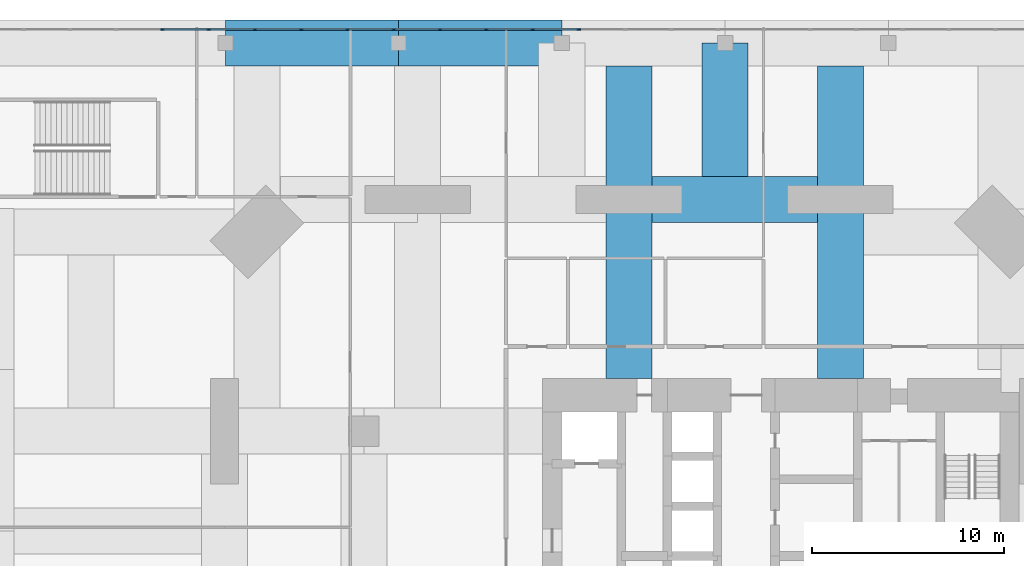
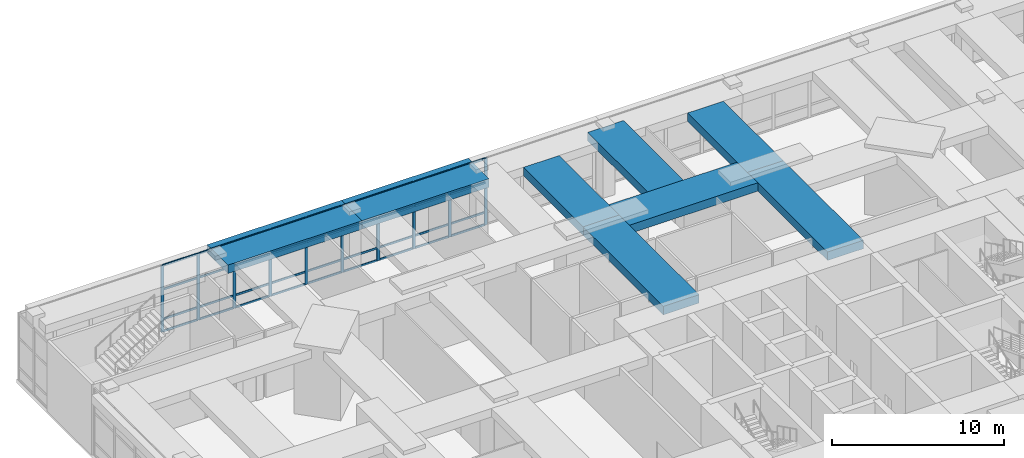
# One storey, part 8 of 22: 46 members, 8 beams, 1 element without a shape of its own.
"""IFC4 building model written with IfcOpenShell, lengths in metres."""

from ifc_helpers import new_model, si_unit, direction, frame, origin, origin_2d, place, context, subcontext, project, spatial, rectangle, extrude, material, material_profile, profile_set, type_object, element, aggregate, save


model = new_model("IFC4")

# Units and contexts
model_context = context("Model", 3, precision=1e-05, world=origin(), true_north=direction((0.0, 1.0)))
body_context = subcontext(model_context, "Body", "Model", "MODEL_VIEW")
ifc_project = project(units=[si_unit("LENGTHUNIT", "METRE"), si_unit("AREAUNIT", "SQUARE_METRE"), si_unit("VOLUMEUNIT", "CUBIC_METRE"), si_unit("PLANEANGLEUNIT", "RADIAN"), si_unit("MASSUNIT", "GRAM", prefix="KILO")], contexts=[model_context])

# Site, building, storey
site_placement = place(None, origin())
site = spatial("IfcSite", under=ifc_project, at=site_placement, CompositionType="ELEMENT")
building_placement = place(site_placement, origin())
building = spatial("IfcBuilding", under=site, at=building_placement, Name="Jalousie Tower", CompositionType="ELEMENT")
storey_placement = place(building_placement, frame((0.0, 0.0, 6.0)))
storey = spatial("IfcBuildingStorey", under=building, at=storey_placement, Name="L01", CompositionType="ELEMENT", Elevation=6.0)

# Curtain wall, members
ifc_material_1 = material(Name="Aluminium curtain wall", Category="aluminium")
curtain_wall_type = type_object("IfcCurtainWallType", Name="PODIUM WINDOW WALL", PredefinedType="USERDEFINED", material=ifc_material_1)
curtain_wall_placement = place(storey_placement, origin())
curtain_wall = element("IfcCurtainWall", 1, at=curtain_wall_placement, inside=storey, type_object=curtain_wall_type, Name="Podium Window Wall L01 21", ObjectType="PODIUM WINDOW WALL", PredefinedType="USERDEFINED")
ifc_material_2 = material(Name="Aluminium mullion", Category="aluminium")
ifc_material_profile_1 = material_profile(ifc_material_2, rectangle(XDim=0.070068359375, YDim=0.199951171875, at=origin_2d()), Name="MULLION 70x200")
ifc_profile_set_1 = profile_set([ifc_material_profile_1], Name="Aluminium mullion")
member_type_1 = type_object("IfcMemberType", Name="PODIUM WINDOW WALL MULLION", PredefinedType="MULLION", material=ifc_profile_set_1)
member_1_placement = place(storey_placement, frame((21.388427734375, 45.91259765625, 0.0), z_axis=(0.0, 0.0, 1.0), x_axis=(0.0, -1.0, 0.0)))
member_1 = element("IfcMember", 2, at=member_1_placement, type_object=member_type_1, Name="CW-P mullion 17", PredefinedType="MULLION", context=body_context, shape_type="SweptSolid", body=[
    extrude(rectangle(XDim=0.070068359375, YDim=0.199951171875, at=origin_2d()), origin(), (0.0, 0.0, 1.0), 4.719970703125),
])
member_2_placement = place(storey_placement, frame((18.980712890625, 45.91259765625, 0.0), z_axis=(0.0, 0.0, 1.0), x_axis=(0.0, -1.0, 0.0)))
member_2 = element("IfcMember", 3, at=member_2_placement, type_object=member_type_1, Name="CW-P mullion 18", PredefinedType="MULLION", context=body_context, shape_type="SweptSolid", body=[
    extrude(rectangle(XDim=0.070068359375, YDim=0.199951171875, at=origin_2d()), origin(), (0.0, 0.0, 1.0), 4.719970703125),
])
member_3_placement = place(storey_placement, frame((16.57275390625, 45.91259765625, 0.0), z_axis=(0.0, 0.0, 1.0), x_axis=(0.0, -1.0, 0.0)))
member_3 = element("IfcMember", 4, at=member_3_placement, type_object=member_type_1, Name="CW-P mullion 19", PredefinedType="MULLION", context=body_context, shape_type="SweptSolid", body=[
    extrude(rectangle(XDim=0.070068359375, YDim=0.199951171875, at=origin_2d()), origin(), (0.0, 0.0, 1.0), 4.719970703125),
])
member_4_placement = place(storey_placement, frame((14.1650390625, 45.91259765625, 0.0), z_axis=(0.0, 0.0, 1.0), x_axis=(0.0, -1.0, 0.0)))
member_4 = element("IfcMember", 5, at=member_4_placement, type_object=member_type_1, Name="CW-P mullion 20", PredefinedType="MULLION", context=body_context, shape_type="SweptSolid", body=[
    extrude(rectangle(XDim=0.070068359375, YDim=0.199951171875, at=origin_2d()), origin(), (0.0, 0.0, 1.0), 4.719970703125),
])
member_5_placement = place(storey_placement, frame((11.75732421875, 45.91259765625, 0.0), z_axis=(0.0, 0.0, 1.0), x_axis=(0.0, -1.0, 0.0)))
member_5 = element("IfcMember", 6, at=member_5_placement, type_object=member_type_1, Name="CW-P mullion 21", PredefinedType="MULLION", context=body_context, shape_type="SweptSolid", body=[
    extrude(rectangle(XDim=0.070068359375, YDim=0.199951171875, at=origin_2d()), origin(), (0.0, 0.0, 1.0), 4.719970703125),
])
member_6_placement = place(storey_placement, frame((9.349609375, 45.91259765625, 0.0), z_axis=(0.0, 0.0, 1.0), x_axis=(0.0, -1.0, 0.0)))
member_6 = element("IfcMember", 7, at=member_6_placement, type_object=member_type_1, Name="CW-P mullion 22", PredefinedType="MULLION", context=body_context, shape_type="SweptSolid", body=[
    extrude(rectangle(XDim=0.070068359375, YDim=0.199951171875, at=origin_2d()), origin(), (0.0, 0.0, 1.0), 4.719970703125),
])
member_7_placement = place(storey_placement, frame((6.94189453125, 45.91259765625, 0.0), z_axis=(0.0, 0.0, 1.0), x_axis=(0.0, -1.0, 0.0)))
member_7 = element("IfcMember", 8, at=member_7_placement, type_object=member_type_1, Name="CW-P mullion 23", PredefinedType="MULLION", context=body_context, shape_type="SweptSolid", body=[
    extrude(rectangle(XDim=0.070068359375, YDim=0.199951171875, at=origin_2d()), origin(), (0.0, 0.0, 1.0), 4.719970703125),
])
member_8_placement = place(storey_placement, frame((4.533935546875, 45.91259765625, 0.0), z_axis=(0.0, 0.0, 1.0), x_axis=(0.0, -1.0, 0.0)))
member_8 = element("IfcMember", 9, at=member_8_placement, type_object=member_type_1, Name="CW-P mullion 24", PredefinedType="MULLION", context=body_context, shape_type="SweptSolid", body=[
    extrude(rectangle(XDim=0.070068359375, YDim=0.199951171875, at=origin_2d()), origin(), (0.0, 0.0, 1.0), 4.719970703125),
])
member_9_placement = place(storey_placement, frame((2.126220703125, 45.91259765625, 0.0), z_axis=(0.0, 0.0, 1.0), x_axis=(0.0, -1.0, 0.0)))
member_9 = element("IfcMember", 10, at=member_9_placement, type_object=member_type_1, Name="CW-P mullion 25", PredefinedType="MULLION", context=body_context, shape_type="SweptSolid", body=[
    extrude(rectangle(XDim=0.070068359375, YDim=0.199951171875, at=origin_2d()), origin(), (0.0, 0.0, 1.0), 4.719970703125),
])
member_10_placement = place(storey_placement, frame((-0.281494140625, 45.91259765625, 0.0), z_axis=(0.0, 0.0, 1.0), x_axis=(0.0, -1.0, 0.0)))
member_10 = element("IfcMember", 11, at=member_10_placement, type_object=member_type_1, Name="CW-P mullion 26", PredefinedType="MULLION", context=body_context, shape_type="SweptSolid", body=[
    extrude(rectangle(XDim=0.070068359375, YDim=0.199951171875, at=origin_2d()), origin(), (0.0, 0.0, 1.0), 4.719970703125),
])
ifc_material_3 = material(Name="Aluminium transom", Category="aluminium")
ifc_material_profile_2 = material_profile(ifc_material_3, rectangle(XDim=0.070068359375, YDim=0.139892578125, at=origin_2d()), Name="TRANSOM 70x140")
ifc_profile_set_2 = profile_set([ifc_material_profile_2], Name="Aluminium transom")
member_type_2 = type_object("IfcMemberType", Name="PODIUM WINDOW WALL TRANSOM", PredefinedType="USERDEFINED", material=ifc_profile_set_2)
member_11_placement = place(storey_placement, frame((21.353271484375, 45.91259765625, 0.034912109375), z_axis=(-1.0, 0.0, 0.0), x_axis=(0.0, -1.0, 0.0)))
member_11 = element("IfcMember", 12, at=member_11_placement, type_object=member_type_2, Name="CW-P transom 17.1", ObjectType="TRANSOM", PredefinedType="USERDEFINED", context=body_context, shape_type="SweptSolid", body=[
    extrude(rectangle(XDim=0.070068359375, YDim=0.139892578125, at=origin_2d()), origin(), (0.0, 0.0, 1.0), 2.337646484375),
])
member_12_placement = place(storey_placement, frame((21.353271484375, 45.91259765625, 0.89990234375), z_axis=(-1.0, 0.0, 0.0), x_axis=(0.0, -1.0, 0.0)))
member_12 = element("IfcMember", 13, at=member_12_placement, type_object=member_type_2, Name="CW-P transom 17.2", ObjectType="TRANSOM", PredefinedType="USERDEFINED", context=body_context, shape_type="SweptSolid", body=[
    extrude(rectangle(XDim=0.070068359375, YDim=0.139892578125, at=origin_2d()), origin(), (0.0, 0.0, 1.0), 2.337646484375),
])
member_13_placement = place(storey_placement, frame((21.353271484375, 45.91259765625, 3.0), z_axis=(-1.0, 0.0, 0.0), x_axis=(0.0, -1.0, 0.0)))
member_13 = element("IfcMember", 14, at=member_13_placement, type_object=member_type_2, Name="CW-P transom 17.3", ObjectType="TRANSOM", PredefinedType="USERDEFINED", context=body_context, shape_type="SweptSolid", body=[
    extrude(rectangle(XDim=0.070068359375, YDim=0.139892578125, at=origin_2d()), origin(), (0.0, 0.0, 1.0), 2.337646484375),
])
member_14_placement = place(storey_placement, frame((21.353271484375, 45.91259765625, 4.68505859375), z_axis=(-1.0, 0.0, 0.0), x_axis=(0.0, -1.0, 0.0)))
member_14 = element("IfcMember", 15, at=member_14_placement, type_object=member_type_2, Name="CW-P transom 17.4", ObjectType="TRANSOM", PredefinedType="USERDEFINED", context=body_context, shape_type="SweptSolid", body=[
    extrude(rectangle(XDim=0.070068359375, YDim=0.139892578125, at=origin_2d()), origin(), (0.0, 0.0, 1.0), 2.337646484375),
])
member_15_placement = place(storey_placement, frame((18.945556640625, 45.91259765625, 0.034912109375), z_axis=(-1.0, 0.0, 0.0), x_axis=(0.0, -1.0, 0.0)))
member_15 = element("IfcMember", 16, at=member_15_placement, type_object=member_type_2, Name="CW-P transom 18.1", ObjectType="TRANSOM", PredefinedType="USERDEFINED", context=body_context, shape_type="SweptSolid", body=[
    extrude(rectangle(XDim=0.070068359375, YDim=0.139892578125, at=origin_2d()), origin(), (0.0, 0.0, 1.0), 2.337646484375),
])
member_16_placement = place(storey_placement, frame((18.945556640625, 45.91259765625, 0.89990234375), z_axis=(-1.0, 0.0, 0.0), x_axis=(0.0, -1.0, 0.0)))
member_16 = element("IfcMember", 17, at=member_16_placement, type_object=member_type_2, Name="CW-P transom 18.2", ObjectType="TRANSOM", PredefinedType="USERDEFINED", context=body_context, shape_type="SweptSolid", body=[
    extrude(rectangle(XDim=0.070068359375, YDim=0.139892578125, at=origin_2d()), origin(), (0.0, 0.0, 1.0), 2.337646484375),
])
member_17_placement = place(storey_placement, frame((18.945556640625, 45.91259765625, 3.0), z_axis=(-1.0, 0.0, 0.0), x_axis=(0.0, -1.0, 0.0)))
member_17 = element("IfcMember", 18, at=member_17_placement, type_object=member_type_2, Name="CW-P transom 18.3", ObjectType="TRANSOM", PredefinedType="USERDEFINED", context=body_context, shape_type="SweptSolid", body=[
    extrude(rectangle(XDim=0.070068359375, YDim=0.139892578125, at=origin_2d()), origin(), (0.0, 0.0, 1.0), 2.337646484375),
])
member_18_placement = place(storey_placement, frame((18.945556640625, 45.91259765625, 4.68505859375), z_axis=(-1.0, 0.0, 0.0), x_axis=(0.0, -1.0, 0.0)))
member_18 = element("IfcMember", 19, at=member_18_placement, type_object=member_type_2, Name="CW-P transom 18.4", ObjectType="TRANSOM", PredefinedType="USERDEFINED", context=body_context, shape_type="SweptSolid", body=[
    extrude(rectangle(XDim=0.070068359375, YDim=0.139892578125, at=origin_2d()), origin(), (0.0, 0.0, 1.0), 2.337646484375),
])
member_19_placement = place(storey_placement, frame((16.537841796875, 45.91259765625, 0.034912109375), z_axis=(-1.0, 0.0, 0.0), x_axis=(0.0, -1.0, 0.0)))
member_19 = element("IfcMember", 20, at=member_19_placement, type_object=member_type_2, Name="CW-P transom 19.1", ObjectType="TRANSOM", PredefinedType="USERDEFINED", context=body_context, shape_type="SweptSolid", body=[
    extrude(rectangle(XDim=0.070068359375, YDim=0.139892578125, at=origin_2d()), origin(), (0.0, 0.0, 1.0), 2.337646484375),
])
member_20_placement = place(storey_placement, frame((16.537841796875, 45.91259765625, 0.89990234375), z_axis=(-1.0, 0.0, 0.0), x_axis=(0.0, -1.0, 0.0)))
member_20 = element("IfcMember", 21, at=member_20_placement, type_object=member_type_2, Name="CW-P transom 19.2", ObjectType="TRANSOM", PredefinedType="USERDEFINED", context=body_context, shape_type="SweptSolid", body=[
    extrude(rectangle(XDim=0.070068359375, YDim=0.139892578125, at=origin_2d()), origin(), (0.0, 0.0, 1.0), 2.337646484375),
])
member_21_placement = place(storey_placement, frame((16.537841796875, 45.91259765625, 3.0), z_axis=(-1.0, 0.0, 0.0), x_axis=(0.0, -1.0, 0.0)))
member_21 = element("IfcMember", 22, at=member_21_placement, type_object=member_type_2, Name="CW-P transom 19.3", ObjectType="TRANSOM", PredefinedType="USERDEFINED", context=body_context, shape_type="SweptSolid", body=[
    extrude(rectangle(XDim=0.070068359375, YDim=0.139892578125, at=origin_2d()), origin(), (0.0, 0.0, 1.0), 2.337646484375),
])
member_22_placement = place(storey_placement, frame((16.537841796875, 45.91259765625, 4.68505859375), z_axis=(-1.0, 0.0, 0.0), x_axis=(0.0, -1.0, 0.0)))
member_22 = element("IfcMember", 23, at=member_22_placement, type_object=member_type_2, Name="CW-P transom 19.4", ObjectType="TRANSOM", PredefinedType="USERDEFINED", context=body_context, shape_type="SweptSolid", body=[
    extrude(rectangle(XDim=0.070068359375, YDim=0.139892578125, at=origin_2d()), origin(), (0.0, 0.0, 1.0), 2.337646484375),
])
member_23_placement = place(storey_placement, frame((14.130126953125, 45.91259765625, 0.034912109375), z_axis=(-1.0, 0.0, 0.0), x_axis=(0.0, -1.0, 0.0)))
member_23 = element("IfcMember", 24, at=member_23_placement, type_object=member_type_2, Name="CW-P transom 20.1", ObjectType="TRANSOM", PredefinedType="USERDEFINED", context=body_context, shape_type="SweptSolid", body=[
    extrude(rectangle(XDim=0.070068359375, YDim=0.139892578125, at=origin_2d()), origin(), (0.0, 0.0, 1.0), 2.337890625),
])
member_24_placement = place(storey_placement, frame((14.130126953125, 45.91259765625, 0.89990234375), z_axis=(-1.0, 0.0, 0.0), x_axis=(0.0, -1.0, 0.0)))
member_24 = element("IfcMember", 25, at=member_24_placement, type_object=member_type_2, Name="CW-P transom 20.2", ObjectType="TRANSOM", PredefinedType="USERDEFINED", context=body_context, shape_type="SweptSolid", body=[
    extrude(rectangle(XDim=0.070068359375, YDim=0.139892578125, at=origin_2d()), origin(), (0.0, 0.0, 1.0), 2.337890625),
])
member_25_placement = place(storey_placement, frame((14.130126953125, 45.91259765625, 3.0), z_axis=(-1.0, 0.0, 0.0), x_axis=(0.0, -1.0, 0.0)))
member_25 = element("IfcMember", 26, at=member_25_placement, type_object=member_type_2, Name="CW-P transom 20.3", ObjectType="TRANSOM", PredefinedType="USERDEFINED", context=body_context, shape_type="SweptSolid", body=[
    extrude(rectangle(XDim=0.070068359375, YDim=0.139892578125, at=origin_2d()), origin(), (0.0, 0.0, 1.0), 2.337890625),
])
member_26_placement = place(storey_placement, frame((14.130126953125, 45.91259765625, 4.68505859375), z_axis=(-1.0, 0.0, 0.0), x_axis=(0.0, -1.0, 0.0)))
member_26 = element("IfcMember", 27, at=member_26_placement, type_object=member_type_2, Name="CW-P transom 20.4", ObjectType="TRANSOM", PredefinedType="USERDEFINED", context=body_context, shape_type="SweptSolid", body=[
    extrude(rectangle(XDim=0.070068359375, YDim=0.139892578125, at=origin_2d()), origin(), (0.0, 0.0, 1.0), 2.337890625),
])
member_27_placement = place(storey_placement, frame((11.722412109375, 45.91259765625, 0.034912109375), z_axis=(-1.0, 0.0, 0.0), x_axis=(0.0, -1.0, 0.0)))
member_27 = element("IfcMember", 28, at=member_27_placement, type_object=member_type_2, Name="CW-P transom 21.1", ObjectType="TRANSOM", PredefinedType="USERDEFINED", context=body_context, shape_type="SweptSolid", body=[
    extrude(rectangle(XDim=0.070068359375, YDim=0.139892578125, at=origin_2d()), origin(), (0.0, 0.0, 1.0), 2.337890625),
])
member_28_placement = place(storey_placement, frame((11.722412109375, 45.91259765625, 0.89990234375), z_axis=(-1.0, 0.0, 0.0), x_axis=(0.0, -1.0, 0.0)))
member_28 = element("IfcMember", 29, at=member_28_placement, type_object=member_type_2, Name="CW-P transom 21.2", ObjectType="TRANSOM", PredefinedType="USERDEFINED", context=body_context, shape_type="SweptSolid", body=[
    extrude(rectangle(XDim=0.070068359375, YDim=0.139892578125, at=origin_2d()), origin(), (0.0, 0.0, 1.0), 2.337890625),
])
member_29_placement = place(storey_placement, frame((11.722412109375, 45.91259765625, 3.0), z_axis=(-1.0, 0.0, 0.0), x_axis=(0.0, -1.0, 0.0)))
member_29 = element("IfcMember", 30, at=member_29_placement, type_object=member_type_2, Name="CW-P transom 21.3", ObjectType="TRANSOM", PredefinedType="USERDEFINED", context=body_context, shape_type="SweptSolid", body=[
    extrude(rectangle(XDim=0.070068359375, YDim=0.139892578125, at=origin_2d()), origin(), (0.0, 0.0, 1.0), 2.337890625),
])
member_30_placement = place(storey_placement, frame((11.722412109375, 45.91259765625, 4.68505859375), z_axis=(-1.0, 0.0, 0.0), x_axis=(0.0, -1.0, 0.0)))
member_30 = element("IfcMember", 31, at=member_30_placement, type_object=member_type_2, Name="CW-P transom 21.4", ObjectType="TRANSOM", PredefinedType="USERDEFINED", context=body_context, shape_type="SweptSolid", body=[
    extrude(rectangle(XDim=0.070068359375, YDim=0.139892578125, at=origin_2d()), origin(), (0.0, 0.0, 1.0), 2.337890625),
])
member_31_placement = place(storey_placement, frame((9.314453125, 45.91259765625, 0.034912109375), z_axis=(-1.0, 0.0, 0.0), x_axis=(0.0, -1.0, 0.0)))
member_31 = element("IfcMember", 32, at=member_31_placement, type_object=member_type_2, Name="CW-P transom 22.1", ObjectType="TRANSOM", PredefinedType="USERDEFINED", context=body_context, shape_type="SweptSolid", body=[
    extrude(rectangle(XDim=0.070068359375, YDim=0.139892578125, at=origin_2d()), origin(), (0.0, 0.0, 1.0), 2.337646484375),
])
member_32_placement = place(storey_placement, frame((9.314453125, 45.91259765625, 0.89990234375), z_axis=(-1.0, 0.0, 0.0), x_axis=(0.0, -1.0, 0.0)))
member_32 = element("IfcMember", 33, at=member_32_placement, type_object=member_type_2, Name="CW-P transom 22.2", ObjectType="TRANSOM", PredefinedType="USERDEFINED", context=body_context, shape_type="SweptSolid", body=[
    extrude(rectangle(XDim=0.070068359375, YDim=0.139892578125, at=origin_2d()), origin(), (0.0, 0.0, 1.0), 2.337646484375),
])
member_33_placement = place(storey_placement, frame((9.314453125, 45.91259765625, 3.0), z_axis=(-1.0, 0.0, 0.0), x_axis=(0.0, -1.0, 0.0)))
member_33 = element("IfcMember", 34, at=member_33_placement, type_object=member_type_2, Name="CW-P transom 22.3", ObjectType="TRANSOM", PredefinedType="USERDEFINED", context=body_context, shape_type="SweptSolid", body=[
    extrude(rectangle(XDim=0.070068359375, YDim=0.139892578125, at=origin_2d()), origin(), (0.0, 0.0, 1.0), 2.337646484375),
])
member_34_placement = place(storey_placement, frame((9.314453125, 45.91259765625, 4.68505859375), z_axis=(-1.0, 0.0, 0.0), x_axis=(0.0, -1.0, 0.0)))
member_34 = element("IfcMember", 35, at=member_34_placement, type_object=member_type_2, Name="CW-P transom 22.4", ObjectType="TRANSOM", PredefinedType="USERDEFINED", context=body_context, shape_type="SweptSolid", body=[
    extrude(rectangle(XDim=0.070068359375, YDim=0.139892578125, at=origin_2d()), origin(), (0.0, 0.0, 1.0), 2.337646484375),
])
member_35_placement = place(storey_placement, frame((6.90673828125, 45.91259765625, 0.034912109375), z_axis=(-1.0, 0.0, 0.0), x_axis=(0.0, -1.0, 0.0)))
member_35 = element("IfcMember", 36, at=member_35_placement, type_object=member_type_2, Name="CW-P transom 23.1", ObjectType="TRANSOM", PredefinedType="USERDEFINED", context=body_context, shape_type="SweptSolid", body=[
    extrude(rectangle(XDim=0.070068359375, YDim=0.139892578125, at=origin_2d()), origin(), (0.0, 0.0, 1.0), 2.337646484375),
])
member_36_placement = place(storey_placement, frame((6.90673828125, 45.91259765625, 0.89990234375), z_axis=(-1.0, 0.0, 0.0), x_axis=(0.0, -1.0, 0.0)))
member_36 = element("IfcMember", 37, at=member_36_placement, type_object=member_type_2, Name="CW-P transom 23.2", ObjectType="TRANSOM", PredefinedType="USERDEFINED", context=body_context, shape_type="SweptSolid", body=[
    extrude(rectangle(XDim=0.070068359375, YDim=0.139892578125, at=origin_2d()), origin(), (0.0, 0.0, 1.0), 2.337646484375),
])
member_37_placement = place(storey_placement, frame((6.90673828125, 45.91259765625, 3.0), z_axis=(-1.0, 0.0, 0.0), x_axis=(0.0, -1.0, 0.0)))
member_37 = element("IfcMember", 38, at=member_37_placement, type_object=member_type_2, Name="CW-P transom 23.3", ObjectType="TRANSOM", PredefinedType="USERDEFINED", context=body_context, shape_type="SweptSolid", body=[
    extrude(rectangle(XDim=0.070068359375, YDim=0.139892578125, at=origin_2d()), origin(), (0.0, 0.0, 1.0), 2.337646484375),
])
member_38_placement = place(storey_placement, frame((6.90673828125, 45.91259765625, 4.68505859375), z_axis=(-1.0, 0.0, 0.0), x_axis=(0.0, -1.0, 0.0)))
member_38 = element("IfcMember", 39, at=member_38_placement, type_object=member_type_2, Name="CW-P transom 23.4", ObjectType="TRANSOM", PredefinedType="USERDEFINED", context=body_context, shape_type="SweptSolid", body=[
    extrude(rectangle(XDim=0.070068359375, YDim=0.139892578125, at=origin_2d()), origin(), (0.0, 0.0, 1.0), 2.337646484375),
])
member_39_placement = place(storey_placement, frame((4.4990234375, 45.91259765625, 0.034912109375), z_axis=(-1.0, 0.0, 0.0), x_axis=(0.0, -1.0, 0.0)))
member_39 = element("IfcMember", 40, at=member_39_placement, type_object=member_type_2, Name="CW-P transom 24.1", ObjectType="TRANSOM", PredefinedType="USERDEFINED", context=body_context, shape_type="SweptSolid", body=[
    extrude(rectangle(XDim=0.070068359375, YDim=0.139892578125, at=origin_2d()), origin(), (0.0, 0.0, 1.0), 2.337646484375),
])
member_40_placement = place(storey_placement, frame((4.4990234375, 45.91259765625, 0.89990234375), z_axis=(-1.0, 0.0, 0.0), x_axis=(0.0, -1.0, 0.0)))
member_40 = element("IfcMember", 41, at=member_40_placement, type_object=member_type_2, Name="CW-P transom 24.2", ObjectType="TRANSOM", PredefinedType="USERDEFINED", context=body_context, shape_type="SweptSolid", body=[
    extrude(rectangle(XDim=0.070068359375, YDim=0.139892578125, at=origin_2d()), origin(), (0.0, 0.0, 1.0), 2.337646484375),
])
member_41_placement = place(storey_placement, frame((4.4990234375, 45.91259765625, 3.0), z_axis=(-1.0, 0.0, 0.0), x_axis=(0.0, -1.0, 0.0)))
member_41 = element("IfcMember", 42, at=member_41_placement, type_object=member_type_2, Name="CW-P transom 24.3", ObjectType="TRANSOM", PredefinedType="USERDEFINED", context=body_context, shape_type="SweptSolid", body=[
    extrude(rectangle(XDim=0.070068359375, YDim=0.139892578125, at=origin_2d()), origin(), (0.0, 0.0, 1.0), 2.337646484375),
])
member_42_placement = place(storey_placement, frame((4.4990234375, 45.91259765625, 4.68505859375), z_axis=(-1.0, 0.0, 0.0), x_axis=(0.0, -1.0, 0.0)))
member_42 = element("IfcMember", 43, at=member_42_placement, type_object=member_type_2, Name="CW-P transom 24.4", ObjectType="TRANSOM", PredefinedType="USERDEFINED", context=body_context, shape_type="SweptSolid", body=[
    extrude(rectangle(XDim=0.070068359375, YDim=0.139892578125, at=origin_2d()), origin(), (0.0, 0.0, 1.0), 2.337646484375),
])
member_43_placement = place(storey_placement, frame((2.09130859375, 45.91259765625, 0.034912109375), z_axis=(-1.0, 0.0, 0.0), x_axis=(0.0, -1.0, 0.0)))
member_43 = element("IfcMember", 44, at=member_43_placement, type_object=member_type_2, Name="CW-P transom 25.1", ObjectType="TRANSOM", PredefinedType="USERDEFINED", context=body_context, shape_type="SweptSolid", body=[
    extrude(rectangle(XDim=0.070068359375, YDim=0.139892578125, at=origin_2d()), origin(), (0.0, 0.0, 1.0), 2.337890625),
])
member_44_placement = place(storey_placement, frame((2.09130859375, 45.91259765625, 0.89990234375), z_axis=(-1.0, 0.0, 0.0), x_axis=(0.0, -1.0, 0.0)))
member_44 = element("IfcMember", 45, at=member_44_placement, type_object=member_type_2, Name="CW-P transom 25.2", ObjectType="TRANSOM", PredefinedType="USERDEFINED", context=body_context, shape_type="SweptSolid", body=[
    extrude(rectangle(XDim=0.070068359375, YDim=0.139892578125, at=origin_2d()), origin(), (0.0, 0.0, 1.0), 2.337890625),
])
member_45_placement = place(storey_placement, frame((2.09130859375, 45.91259765625, 3.0), z_axis=(-1.0, 0.0, 0.0), x_axis=(0.0, -1.0, 0.0)))
member_45 = element("IfcMember", 46, at=member_45_placement, type_object=member_type_2, Name="CW-P transom 25.3", ObjectType="TRANSOM", PredefinedType="USERDEFINED", context=body_context, shape_type="SweptSolid", body=[
    extrude(rectangle(XDim=0.070068359375, YDim=0.139892578125, at=origin_2d()), origin(), (0.0, 0.0, 1.0), 2.337890625),
])
member_46_placement = place(storey_placement, frame((2.09130859375, 45.91259765625, 4.68505859375), z_axis=(-1.0, 0.0, 0.0), x_axis=(0.0, -1.0, 0.0)))
member_46 = element("IfcMember", 47, at=member_46_placement, type_object=member_type_2, Name="CW-P transom 25.4", ObjectType="TRANSOM", PredefinedType="USERDEFINED", context=body_context, shape_type="SweptSolid", body=[
    extrude(rectangle(XDim=0.070068359375, YDim=0.139892578125, at=origin_2d()), origin(), (0.0, 0.0, 1.0), 2.337890625),
])
aggregate(curtain_wall, [member_1, member_2, member_3, member_4, member_5, member_6, member_7, member_8, member_9, member_10, member_11, member_12, member_13, member_14, member_15, member_16, member_17, member_18, member_19, member_20, member_21, member_22, member_23, member_24, member_25, member_26, member_27, member_28, member_29, member_30, member_31, member_32, member_33, member_34, member_35, member_36, member_37, member_38, member_39, member_40, member_41, member_42, member_43, member_44, member_45, member_46])

# Beams
ifc_material_4 = material(Name="Concrete f'c 40 MPa", Category="concrete")
ifc_material_profile_3 = material_profile(ifc_material_4, rectangle(XDim=2.39990234375, YDim=0.60009765625, at=origin_2d()), Name="RC 2400x600")
ifc_profile_set_3 = profile_set([ifc_material_profile_3], Name="Concrete f'c 40 MPa")
beam_type = type_object("IfcBeamType", Name="RC BEAM 2400x600", PredefinedType="BEAM", material=ifc_profile_set_3)
beam_1_placement = place(storey_placement, frame((35.0, 37.050048828125, 4.419921875), z_axis=(-1.0, 0.0, 0.0), x_axis=(0.0, -1.0, 0.0)))
element("IfcBeam", 48, at=beam_1_placement, inside=storey, type_object=beam_type, Name="Floor band beam under L02", PredefinedType="BEAM", context=body_context, shape_type="SweptSolid", body=[
    extrude(rectangle(XDim=2.39990234375, YDim=0.60009765625, at=origin_2d()), origin(), (0.0, 0.0, 1.0), 11.0),
])
beam_2_placement = place(storey_placement, frame((3.0, 45.199951171875, 4.419921875), z_axis=(1.0, 0.0, 0.0), x_axis=(0.0, 1.0, 0.0)))
element("IfcBeam", 49, at=beam_2_placement, inside=storey, type_object=beam_type, Name="Floor band beam under L02", PredefinedType="BEAM", context=body_context, shape_type="SweptSolid", body=[
    extrude(rectangle(XDim=2.39990234375, YDim=0.60009765625, at=origin_2d()), origin(), (0.0, 0.0, 1.0), 9.0),
])
beam_3_placement = place(storey_placement, frame((12.0, 45.199951171875, 4.419921875), z_axis=(1.0, 0.0, 0.0), x_axis=(0.0, 1.0, 0.0)))
element("IfcBeam", 50, at=beam_3_placement, inside=storey, type_object=beam_type, Name="Floor band beam under L02", PredefinedType="BEAM", context=body_context, shape_type="SweptSolid", body=[
    extrude(rectangle(XDim=2.39990234375, YDim=0.60009765625, at=origin_2d()), origin(), (0.0, 0.0, 1.0), 8.5),
])
for number, where, z_axis, x_axis, name in (
    (51, (24.0, 37.050048828125, 4.419921875), (0.0, -1.0, 0.0), (1.0, 0.0, 0.0), "Floor band beam under L02"),
    (52, (35.0, 37.050048828125, 4.419921875), (0.0, -1.0, 0.0), (1.0, 0.0, 0.0), "Floor band beam under L02"),
):
    element("IfcBeam", number, at=place(storey_placement, frame(where, z_axis=z_axis, x_axis=x_axis)), inside=storey, type_object=beam_type, Name=name, PredefinedType="BEAM", context=body_context, shape_type="SweptSolid", body=[
        extrude(rectangle(XDim=2.39990234375, YDim=0.60009765625, at=origin_2d()), origin(), (0.0, 0.0, 1.0), 9.300048828125),
    ])
for number, where, z_axis, x_axis, name in (
    (53, (24.0, 37.050048828125, 4.419921875), (0.0, 1.0, 0.0), (-1.0, 0.0, 0.0), "Floor band beam under L02"),
    (54, (29.0, 45.199951171875, 4.419921875), (0.0, -1.0, 0.0), (1.0, 0.0, 0.0), "Floor band beam under L02"),
    (55, (35.0, 37.050048828125, 4.419921875), (0.0, 1.0, 0.0), (-1.0, 0.0, 0.0), "Floor band beam under L02"),
):
    element("IfcBeam", number, at=place(storey_placement, frame(where, z_axis=z_axis, x_axis=x_axis)), inside=storey, type_object=beam_type, Name=name, PredefinedType="BEAM", context=body_context, shape_type="SweptSolid", body=[
        extrude(rectangle(XDim=2.39990234375, YDim=0.60009765625, at=origin_2d()), origin(), (0.0, 0.0, 1.0), 6.949951171875),
    ])

save(model, "model.ifc")
